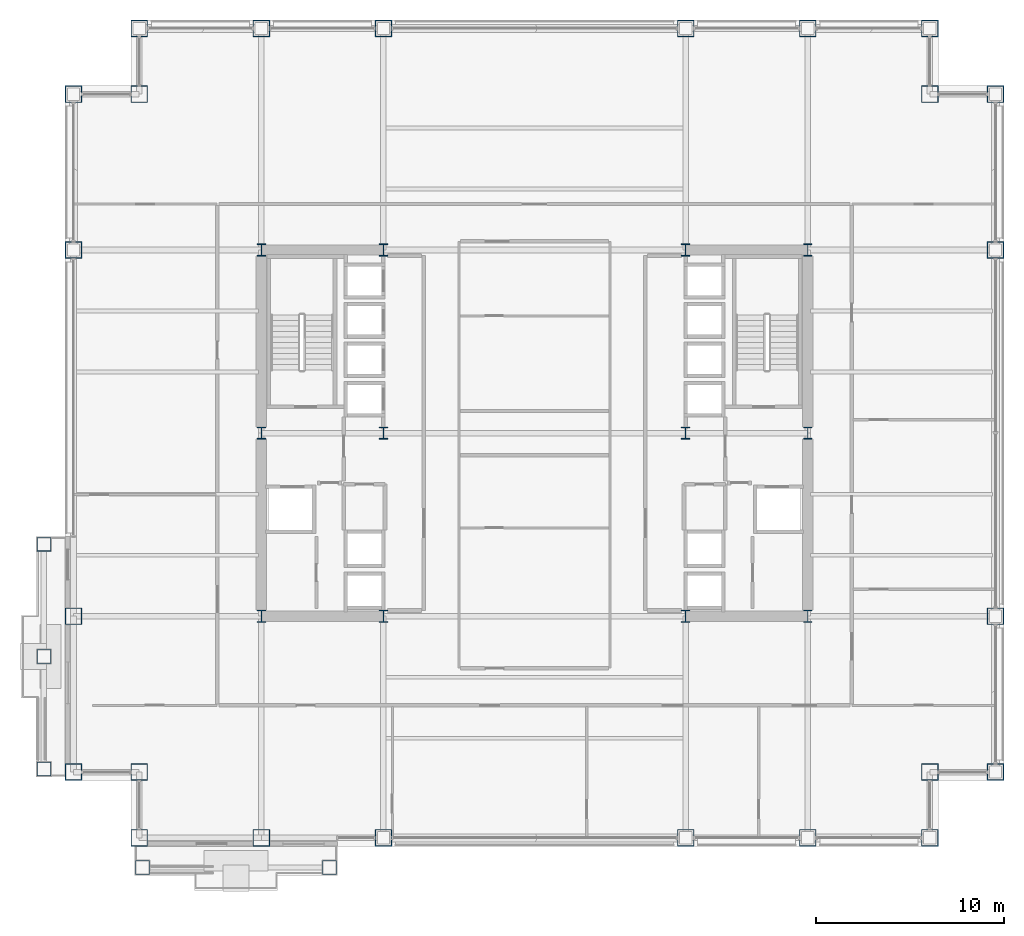
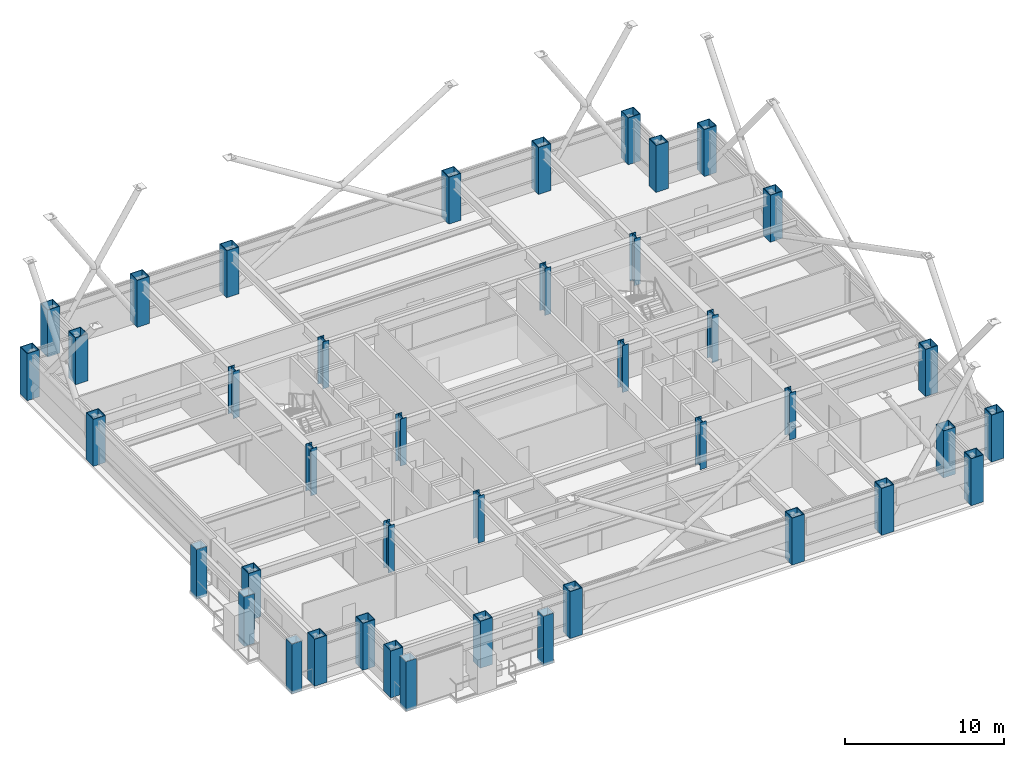
# One storey, part 1 of 30: 41 columns.
"""IFC4 building model written with IfcOpenShell, lengths in metres."""

from ifc_helpers import new_model, si_unit, direction, frame, origin, origin_2d, place, context, subcontext, project, spatial, hollow_rectangle, i_section, extrude, material, material_profile, profile_set, type_object, element, save


model = new_model("IFC4")

# Units and contexts
model_context = context("Model", 3, precision=1e-05, world=origin(), true_north=direction((0.0, 1.0)))
body_context = subcontext(model_context, "Body", "Model", "MODEL_VIEW")
ifc_project = project(units=[si_unit("LENGTHUNIT", "METRE"), si_unit("AREAUNIT", "SQUARE_METRE"), si_unit("VOLUMEUNIT", "CUBIC_METRE"), si_unit("PLANEANGLEUNIT", "RADIAN"), si_unit("MASSUNIT", "GRAM", prefix="KILO")], contexts=[model_context])

# Site, building, storey
site_placement = place(None, origin())
site = spatial("IfcSite", under=ifc_project, at=site_placement, CompositionType="ELEMENT")
building_placement = place(site_placement, origin())
building = spatial("IfcBuilding", under=site, at=building_placement, Name="Brelmoor Portico Tower", CompositionType="ELEMENT")
storey_placement = place(building_placement, frame((0.0, 0.0, 56.39990234375)))
storey = spatial("IfcBuildingStorey", under=building, at=storey_placement, Name="L14", CompositionType="ELEMENT", Elevation=56.39990234375)

# Columns
ifc_material = material(Name="Steel Q355B", Category="steel")
ifc_material_profile_1 = material_profile(ifc_material, hollow_rectangle(XDim=0.75, YDim=0.75, WallThickness=0.031982421875, at=origin_2d()), Name="BOX 750x750x32")
ifc_profile_set_1 = profile_set([ifc_material_profile_1], Name="Steel Q355B")
column_type_1 = type_object("IfcColumnType", Name="COL-MEGA-750", PredefinedType="COLUMN", material=ifc_profile_set_1)
for number, where, z_axis, x_axis, name in (
    (1, (-26.1298828125, -17.8798828125, -0.199951171875), (0.0, 0.0, 1.0), (0.0, 1.0, 0.0), "L14 Proud Picture-Frame Pier PFJ-W1"),
    (2, (-26.1298828125, -5.919921875, -0.199951171875), (0.0, 0.0, 1.0), (0.0, 1.0, 0.0), "L14 Proud Picture-Frame Pier PFJ-W2"),
    (3, (-26.1298828125, -11.89990234375, -0.199951171875), (0.0, 0.0, 1.0), (0.0, 1.0, 0.0), "L14 Proud Picture-Frame Pier PFJ-W3"),
    (4, (-20.8798828125, -23.1298828125, -0.199951171875), (0.0, 0.0, 1.0), (1.0, 0.0, 0.0), "L14 Proud Picture-Frame Pier PFJ-S1"),
    (5, (-10.919921875, -23.1298828125, -0.199951171875), (0.0, 0.0, 1.0), (1.0, 0.0, 0.0), "L14 Proud Picture-Frame Pier PFJ-S2"),
):
    element("IfcColumn", number, at=place(storey_placement, frame(where, z_axis=z_axis, x_axis=x_axis)), inside=storey, type_object=column_type_1, Name=name, PredefinedType="COLUMN", context=body_context, shape_type="SweptSolid", body=[
        extrude(hollow_rectangle(XDim=0.75, YDim=0.75, WallThickness=0.031982421875, at=origin_2d()), origin(), (0.0, 0.0, 1.0), 3.800048828125),
    ])
ifc_material_profile_2 = material_profile(ifc_material, hollow_rectangle(XDim=0.89990234375, YDim=0.89990234375, WallThickness=0.044921875, at=origin_2d()), Name="BOX 900x900x45")
ifc_profile_set_2 = profile_set([ifc_material_profile_2], Name="Steel Q355B")
column_type_2 = type_object("IfcColumnType", Name="COL-MEGA-900", PredefinedType="COLUMN", material=ifc_profile_set_2)
for number, where, z_axis, x_axis, name in (
    (6, (-21.050048828125, -21.550048828125, 0.0), (0.0, 0.0, 1.0), (1.0, 0.0, 0.0), "L14 Perimeter Mega-Column PS01"),
    (7, (-14.550048828125, -21.550048828125, 0.0), (0.0, 0.0, 1.0), (1.0, 0.0, 0.0), "L14 Perimeter Mega-Column PS02"),
    (8, (-8.050048828125, -21.550048828125, 0.0), (0.0, 0.0, 1.0), (1.0, 0.0, 0.0), "L14 Perimeter Mega-Column PS03"),
    (9, (8.050048828125, -21.550048828125, 0.0), (0.0, 0.0, 1.0), (1.0, 0.0, 0.0), "L14 Perimeter Mega-Column PS04"),
    (10, (14.550048828125, -21.550048828125, 0.0), (0.0, 0.0, 1.0), (1.0, 0.0, 0.0), "L14 Perimeter Mega-Column PS05"),
    (11, (21.050048828125, -21.550048828125, 0.0), (0.0, 0.0, 1.0), (1.0, 0.0, 0.0), "L14 Perimeter Mega-Column PS06"),
    (12, (-21.050048828125, 21.550048828125, 0.0), (0.0, 0.0, 1.0), (1.0, 0.0, 0.0), "L14 Perimeter Mega-Column PN01"),
    (13, (-14.550048828125, 21.550048828125, 0.0), (0.0, 0.0, 1.0), (1.0, 0.0, 0.0), "L14 Perimeter Mega-Column PN02"),
    (14, (-8.050048828125, 21.550048828125, 0.0), (0.0, 0.0, 1.0), (1.0, 0.0, 0.0), "L14 Perimeter Mega-Column PN03"),
    (15, (8.050048828125, 21.550048828125, 0.0), (0.0, 0.0, 1.0), (1.0, 0.0, 0.0), "L14 Perimeter Mega-Column PN04"),
    (16, (14.550048828125, 21.550048828125, 0.0), (0.0, 0.0, 1.0), (1.0, 0.0, 0.0), "L14 Perimeter Mega-Column PN05"),
    (17, (21.050048828125, 21.550048828125, 0.0), (0.0, 0.0, 1.0), (1.0, 0.0, 0.0), "L14 Perimeter Mega-Column PN06"),
    (18, (-24.550048828125, -18.050048828125, 0.0), (0.0, 0.0, 1.0), (0.0, 1.0, 0.0), "L14 Perimeter Mega-Column PW01"),
    (19, (-24.550048828125, -9.75, 0.0), (0.0, 0.0, 1.0), (0.0, 1.0, 0.0), "L14 Perimeter Mega-Column PW02"),
    (20, (-24.550048828125, 9.75, 0.0), (0.0, 0.0, 1.0), (0.0, 1.0, 0.0), "L14 Perimeter Mega-Column PW03"),
    (21, (-24.550048828125, 18.050048828125, 0.0), (0.0, 0.0, 1.0), (0.0, 1.0, 0.0), "L14 Perimeter Mega-Column PW04"),
    (22, (24.550048828125, -18.050048828125, 0.0), (0.0, 0.0, 1.0), (0.0, 1.0, 0.0), "L14 Perimeter Mega-Column PE01"),
    (23, (24.550048828125, -9.75, 0.0), (0.0, 0.0, 1.0), (0.0, 1.0, 0.0), "L14 Perimeter Mega-Column PE02"),
    (24, (24.550048828125, 9.75, 0.0), (0.0, 0.0, 1.0), (0.0, 1.0, 0.0), "L14 Perimeter Mega-Column PE03"),
    (25, (24.550048828125, 18.050048828125, 0.0), (0.0, 0.0, 1.0), (0.0, 1.0, 0.0), "L14 Perimeter Mega-Column PE04"),
    (26, (-21.050048828125, 18.050048828125, 0.0), (0.0, 0.0, 1.0), (1.0, 0.0, 0.0), "L14 Perimeter Mega-Column PC-NW"),
    (27, (21.050048828125, 18.050048828125, 0.0), (0.0, 0.0, 1.0), (1.0, 0.0, 0.0), "L14 Perimeter Mega-Column PC-NE"),
    (28, (21.050048828125, -18.050048828125, 0.0), (0.0, 0.0, 1.0), (1.0, 0.0, 0.0), "L14 Perimeter Mega-Column PC-SE"),
    (29, (-21.050048828125, -18.050048828125, 0.0), (0.0, 0.0, 1.0), (1.0, 0.0, 0.0), "L14 Perimeter Mega-Column PC-SW"),
):
    element("IfcColumn", number, at=place(storey_placement, frame(where, z_axis=z_axis, x_axis=x_axis)), inside=storey, type_object=column_type_2, Name=name, PredefinedType="COLUMN", context=body_context, shape_type="SweptSolid", body=[
        extrude(hollow_rectangle(XDim=0.89990234375, YDim=0.89990234375, WallThickness=0.044921875, at=origin_2d()), origin(), (0.0, 0.0, 1.0), 3.60009765625),
    ])
ifc_material_profile_3 = material_profile(ifc_material, i_section(OverallWidth=0.449951171875, OverallDepth=0.64990234375, WebThickness=0.02490234375, FlangeThickness=0.0400390625, at=origin_2d()), Name="HW 650x450x25x40")
ifc_profile_set_3 = profile_set([ifc_material_profile_3], Name="Steel Q355B")
column_type_3 = type_object("IfcColumnType", Name="COL-SPINE-650", PredefinedType="COLUMN", material=ifc_profile_set_3)
for number, where, z_axis, x_axis, name in (
    (30, (-14.550048828125, -9.75, 0.0), (0.0, 0.0, 1.0), (1.0, 0.0, 0.0), "L14 Core Spine Column CW-SW"),
    (31, (-14.550048828125, 0.0, 0.0), (0.0, 0.0, 1.0), (1.0, 0.0, 0.0), "L14 Core Spine Column CW-MW"),
    (32, (-14.550048828125, 9.75, 0.0), (0.0, 0.0, 1.0), (1.0, 0.0, 0.0), "L14 Core Spine Column CW-NW"),
    (33, (-8.050048828125, -9.75, 0.0), (0.0, 0.0, 1.0), (1.0, 0.0, 0.0), "L14 Core Spine Column CW-SE"),
    (34, (-8.050048828125, 0.0, 0.0), (0.0, 0.0, 1.0), (1.0, 0.0, 0.0), "L14 Core Spine Column CW-ME"),
    (35, (-8.050048828125, 9.75, 0.0), (0.0, 0.0, 1.0), (1.0, 0.0, 0.0), "L14 Core Spine Column CW-NE"),
    (36, (8.050048828125, -9.75, 0.0), (0.0, 0.0, 1.0), (1.0, 0.0, 0.0), "L14 Core Spine Column CE-SW"),
    (37, (8.050048828125, 0.0, 0.0), (0.0, 0.0, 1.0), (1.0, 0.0, 0.0), "L14 Core Spine Column CE-MW"),
    (38, (8.050048828125, 9.75, 0.0), (0.0, 0.0, 1.0), (1.0, 0.0, 0.0), "L14 Core Spine Column CE-NW"),
    (39, (14.550048828125, -9.75, 0.0), (0.0, 0.0, 1.0), (1.0, 0.0, 0.0), "L14 Core Spine Column CE-SE"),
    (40, (14.550048828125, 0.0, 0.0), (0.0, 0.0, 1.0), (1.0, 0.0, 0.0), "L14 Core Spine Column CE-ME"),
    (41, (14.550048828125, 9.75, 0.0), (0.0, 0.0, 1.0), (1.0, 0.0, 0.0), "L14 Core Spine Column CE-NE"),
):
    element("IfcColumn", number, at=place(storey_placement, frame(where, z_axis=z_axis, x_axis=x_axis)), inside=storey, type_object=column_type_3, Name=name, PredefinedType="COLUMN", context=body_context, shape_type="SweptSolid", body=[
        extrude(i_section(OverallWidth=0.449951171875, OverallDepth=0.64990234375, WebThickness=0.02490234375, FlangeThickness=0.0400390625, at=origin_2d()), origin(), (0.0, 0.0, 1.0), 3.60009765625),
    ])

save(model, "model.ifc")
